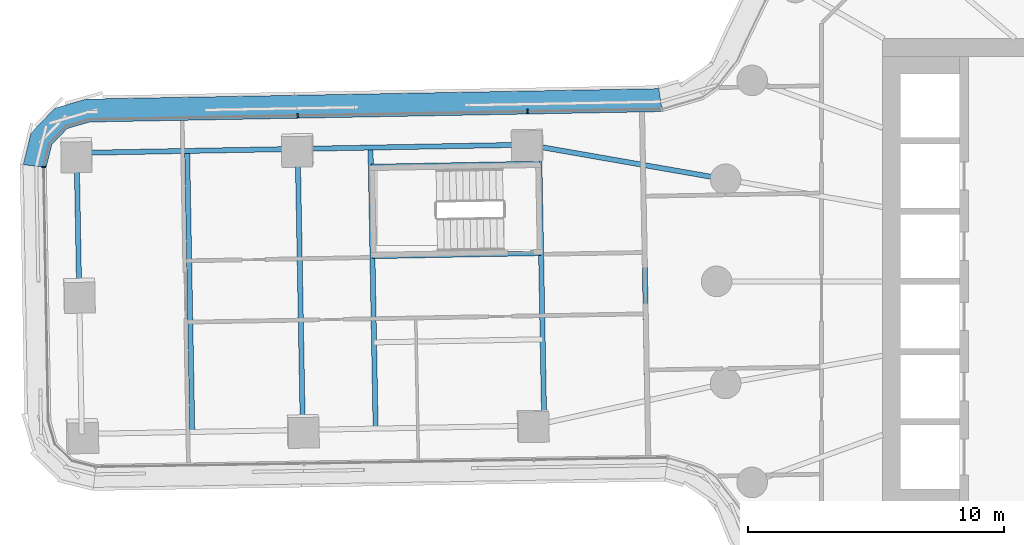
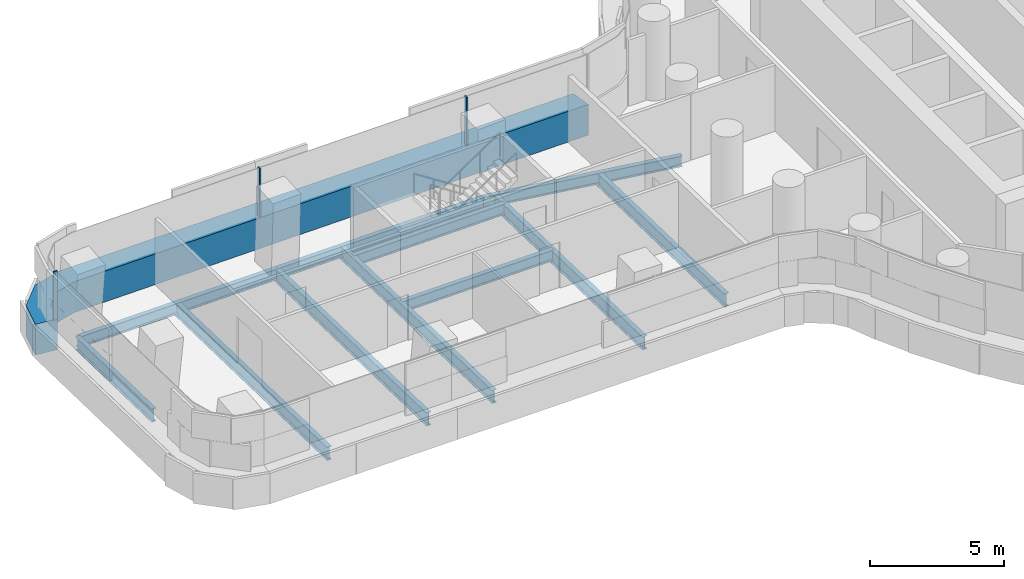
# One storey, part 6 of 31: 11 beams, 4 members, 2 elements without a shape of their own.
"""IFC4 building model written with IfcOpenShell, lengths in metres."""

from ifc_helpers import new_model, si_unit, direction, frame, origin, origin_2d, place, context, subcontext, project, spatial, polyline, rectangle, i_section, outline, extrude, material, layer, layer_set, material_profile, profile_set, type_object, element, aggregate, save


model = new_model("IFC4")

# Units and contexts
model_context = context("Model", 3, precision=1e-05, world=origin(), true_north=direction((0.0, 1.0)))
body_context = subcontext(model_context, "Body", "Model", "MODEL_VIEW")
ifc_project = project(units=[si_unit("LENGTHUNIT", "METRE"), si_unit("AREAUNIT", "SQUARE_METRE"), si_unit("VOLUMEUNIT", "CUBIC_METRE"), si_unit("PLANEANGLEUNIT", "RADIAN"), si_unit("MASSUNIT", "GRAM", prefix="KILO")], contexts=[model_context])

# Site, building, storey
site_placement = place(None, origin())
site = spatial("IfcSite", under=ifc_project, at=site_placement, CompositionType="ELEMENT")
building_placement = place(site_placement, origin())
building = spatial("IfcBuilding", under=site, at=building_placement, Name="Tamarind Cross Interchange Tower", CompositionType="ELEMENT")
storey_placement = place(building_placement, frame((0.0, 0.0, 37.75)))
storey = spatial("IfcBuildingStorey", under=building, at=storey_placement, Name="L07", CompositionType="ELEMENT", Elevation=37.75)

# Beams
ifc_material_1 = material(Name="Steel Q355B", Category="steel")
ifc_material_profile_1 = material_profile(ifc_material_1, i_section(OverallWidth=0.198974609375, OverallDepth=0.49609375, WebThickness=0.009033203125, FlangeThickness=0.013916015625, FilletRadius=0.012939453125, at=origin_2d()), Name="HN 496x199x9x14")
ifc_profile_set_1 = profile_set([ifc_material_profile_1], Name="Steel Q355B")
beam_type_1 = type_object("IfcBeamType", Name="Composite beam HN 496x199x9x14 Q355B", PredefinedType="BEAM", material=ifc_profile_set_1)
beam_1_placement = place(storey_placement, frame((-48.048828125, 5.02587890625, -0.387939453125), z_axis=(0.999833874071, 0.018227020054, 0.0), x_axis=(-0.018227020054, 0.999833874071, 0.0)))
element("IfcBeam", 1, at=beam_1_placement, inside=storey, type_object=beam_type_1, Name="Beam W-edgeem5", PredefinedType="BEAM", context=body_context, shape_type="SweptSolid", body=[
    extrude(i_section(OverallWidth=0.198974609375, OverallDepth=0.49609375, WebThickness=0.009033203125, FlangeThickness=0.013916015625, FilletRadius=0.012939453125, at=origin_2d()), origin(), (0.0, 0.0, 1.0), 8.65283203125),
])
beam_2_placement = place(storey_placement, frame((-39.3974609375, 5.18359375, -0.387939453125), z_axis=(0.999833836067, 0.018229104613, 0.0), x_axis=(-0.018229104613, 0.999833836067, 0.0)))
element("IfcBeam", 2, at=beam_2_placement, inside=storey, type_object=beam_type_1, Name="Beam W-edgeem6", PredefinedType="BEAM", context=body_context, shape_type="SweptSolid", body=[
    extrude(i_section(OverallWidth=0.198974609375, OverallDepth=0.49609375, WebThickness=0.009033203125, FlangeThickness=0.013916015625, FilletRadius=0.012939453125, at=origin_2d()), origin(), (0.0, 0.0, 1.0), 9.0),
])
beam_3_placement = place(storey_placement, frame((-30.39892578125, 5.34765625, -0.387939453125), z_axis=(0.98507773174, -0.172110030012, 0.0), x_axis=(0.172110030012, 0.98507773174, 0.0)))
element("IfcBeam", 3, at=beam_3_placement, inside=storey, type_object=beam_type_1, Name="Beam W-linkem", PredefinedType="BEAM", context=body_context, shape_type="SweptSolid", body=[
    extrude(i_section(OverallWidth=0.198974609375, OverallDepth=0.49609375, WebThickness=0.009033203125, FlangeThickness=0.013916015625, FilletRadius=0.012939453125, at=origin_2d()), origin(), (0.0, 0.0, 1.0), 7.86572265625),
])
for number, where, z_axis, x_axis, name in (
    (4, (-29.935302734375, 4.60595703125, -0.387939453125), (-0.999834372538, -0.018199656343, 0.0), (0.018199656343, -0.999834372538, 0.0), "Beam W-tr0"),
    (5, (-29.87158203125, 1.106689453125, -0.387939453125), (-0.99983369874, -0.018236635224, 0.0), (0.018236635224, -0.99983369874, 0.0), "Beam W-tr1"),
):
    element("IfcBeam", number, at=place(storey_placement, frame(where, z_axis=z_axis, x_axis=x_axis)), inside=storey, type_object=beam_type_1, Name=name, PredefinedType="BEAM", context=body_context, shape_type="SweptSolid", body=[
        extrude(i_section(OverallWidth=0.198974609375, OverallDepth=0.49609375, WebThickness=0.009033203125, FlangeThickness=0.013916015625, FilletRadius=0.012939453125, at=origin_2d()), origin(), (0.0, 0.0, 1.0), 6.599853515625),
    ])
ifc_material_profile_2 = material_profile(ifc_material_1, i_section(OverallWidth=0.199951171875, OverallDepth=0.60009765625, WebThickness=0.010986328125, FlangeThickness=0.01708984375, FilletRadius=0.012939453125, at=origin_2d()), Name="HN 600x200x11x17")
ifc_profile_set_2 = profile_set([ifc_material_profile_2], Name="Steel Q355B")
beam_type_2 = type_object("IfcBeamType", Name="Composite beam HN 600x200x11x17 Q355B", PredefinedType="BEAM", material=ifc_profile_set_2)
beam_4_placement = place(storey_placement, frame((-48.048828125, 5.02587890625, -0.43994140625), z_axis=(0.018244165944, -0.999833561354, 0.0), x_axis=(0.999833561354, 0.018244165944, 0.0)))
element("IfcBeam", 6, at=beam_4_placement, inside=storey, type_object=beam_type_2, Name="Beam W-tip0", PredefinedType="BEAM", context=body_context, shape_type="SweptSolid", body=[
    extrude(i_section(OverallWidth=0.199951171875, OverallDepth=0.60009765625, WebThickness=0.010986328125, FlangeThickness=0.01708984375, FilletRadius=0.012939453125, at=origin_2d()), origin(), (0.0, 0.0, 1.0), 5.5),
])
beam_5_placement = place(storey_placement, frame((-29.947509765625, 5.268798828125, -0.43994140625), z_axis=(0.018249746599, -0.999833459507, 0.0), x_axis=(0.999833459507, 0.018249746599, 0.0)))
element("IfcBeam", 7, at=beam_5_placement, inside=storey, type_object=beam_type_2, Name="Beam W-x298", PredefinedType="BEAM", context=body_context, shape_type="SweptSolid", body=[
    extrude(i_section(OverallWidth=0.199951171875, OverallDepth=0.60009765625, WebThickness=0.010986328125, FlangeThickness=0.01708984375, FilletRadius=0.012939453125, at=origin_2d()), origin(), (0.0, 0.0, 1.0), 10.822509765625),
])
for number, where, z_axis, x_axis, name in (
    (8, (-36.5478515625, 5.235595703125, -0.43994140625), (0.018221978469, -0.999833965967, 0.0), (0.999833965967, 0.018221978469, 0.0), "Beam W-x364"),
    (9, (-39.3974609375, 5.18359375, -0.43994140625), (0.018244165944, -0.999833561354, 0.0), (0.999833561354, 0.018244165944, 0.0), "Beam W-x393"),
):
    element("IfcBeam", number, at=place(storey_placement, frame(where, z_axis=z_axis, x_axis=x_axis)), inside=storey, type_object=beam_type_2, Name=name, PredefinedType="BEAM", context=body_context, shape_type="SweptSolid", body=[
        extrude(i_section(OverallWidth=0.199951171875, OverallDepth=0.60009765625, WebThickness=0.010986328125, FlangeThickness=0.01708984375, FilletRadius=0.012939453125, at=origin_2d()), origin(), (0.0, 0.0, 1.0), 10.999755859375),
    ])
beam_6_placement = place(storey_placement, frame((-25.8837890625, 4.558837890625, -0.43994140625), z_axis=(0.01823075376, -0.999833805998, 0.0), x_axis=(0.999833805998, 0.01823075376, 0.0)))
element("IfcBeam", 10, at=beam_6_placement, inside=storey, type_object=beam_type_2, Name="Beam W-x258", PredefinedType="BEAM", context=body_context, shape_type="SweptSolid", body=[
    extrude(i_section(OverallWidth=0.199951171875, OverallDepth=0.60009765625, WebThickness=0.010986328125, FlangeThickness=0.01708984375, FilletRadius=0.012939453125, at=origin_2d()), origin(), (0.0, 0.0, 1.0), 9.226806640625),
])
beam_7_placement = place(storey_placement, frame((-43.72314453125, 5.104736328125, -0.43994140625), z_axis=(0.018244165944, -0.999833561354, 0.0), x_axis=(0.999833561354, 0.018244165944, 0.0)))
element("IfcBeam", 11, at=beam_7_placement, inside=storey, type_object=beam_type_2, Name="Beam W-x436", PredefinedType="BEAM", context=body_context, shape_type="SweptSolid", body=[
    extrude(i_section(OverallWidth=0.199951171875, OverallDepth=0.60009765625, WebThickness=0.010986328125, FlangeThickness=0.01708984375, FilletRadius=0.012939453125, at=origin_2d()), origin(), (0.0, 0.0, 1.0), 10.999755859375),
])

# Curtain wall, members
ifc_material_2 = material(Name="Aluminium 6063-T6", Category="aluminium")
ifc_layer = layer(ifc_material_2, 0.159912109375)
ifc_layer_set = layer_set([ifc_layer], Name="Aluminium 6063-T6")
curtain_wall_type = type_object("IfcCurtainWallType", Name="Office curtain wall, 9.0 m bays", PredefinedType="NOTDEFINED", material=ifc_layer_set)
curtain_wall_1_placement = place(storey_placement, origin())
curtain_wall_1 = element("IfcCurtainWall", 12, at=curtain_wall_1_placement, inside=storey, type_object=curtain_wall_type, Name="CWS-L07-03", PredefinedType="NOTDEFINED")
ifc_material_3 = material(Name="Aluminium and insulated spandrel panel", Category="aluminium")
member_type_1 = type_object("IfcMemberType", Name="Floor-edge blade transom", PredefinedType="USERDEFINED", material=ifc_material_3)
member_1_placement = place(storey_placement, origin())
member_1 = element("IfcMember", 13, at=member_1_placement, type_object=member_type_1, Name="CWT-L07-03", ObjectType="TRANSOM", PredefinedType="USERDEFINED", context=body_context, shape_type="SweptSolid", body=[
    extrude(outline(polyline([(-25.127197265625, 6.64404296875), (-47.53125, 6.235595703125), (-48.4111328125, 5.982421875), (-49.01806640625, 5.35302734375), (-49.23876953125, 4.464599609375), (-50.140869140625, 4.566650390625), (-49.833251953125, 5.803955078125), (-48.8916015625, 6.78076171875), (-47.666259765625, 7.13330078125), (-25.264892578125, 7.541748046875), (-25.127197265625, 6.64404296875)])), origin(), (0.0, 0.0, 1.0), 1.39990234375),
])
ifc_material_profile_3 = material_profile(ifc_material_2, rectangle(XDim=0.06005859375, YDim=0.159912109375, at=origin_2d()), Name="Mullion CW1")
ifc_profile_set_3 = profile_set([ifc_material_profile_3], Name="Aluminium 6063-T6")
member_type_2 = type_object("IfcMemberType", Name="Mullion CW1", PredefinedType="MULLION", material=ifc_profile_set_3)
member_2_placement = place(storey_placement, frame((-30.395751953125, 6.64794921875, 1.39990234375), z_axis=(0.0, 0.0, 1.0), x_axis=(-0.999833743347, -0.018234189439, 0.0)))
member_2 = element("IfcMember", 14, at=member_2_placement, type_object=member_type_2, Name="CWM-L07-03-01", PredefinedType="MULLION", context=body_context, shape_type="SweptSolid", body=[
    extrude(rectangle(XDim=0.06005859375, YDim=0.159912109375, at=origin_2d()), origin(), (0.0, 0.0, 1.0), 2.210205078125),
])
member_3_placement = place(storey_placement, frame((-39.39453125, 6.48388671875, 1.39990234375), z_axis=(0.0, 0.0, 1.0), x_axis=(-0.999833743347, -0.018234189439, 0.0)))
member_3 = element("IfcMember", 15, at=member_3_placement, type_object=member_type_2, Name="CWM-L07-03-02", PredefinedType="MULLION", context=body_context, shape_type="SweptSolid", body=[
    extrude(rectangle(XDim=0.06005859375, YDim=0.159912109375, at=origin_2d()), origin(), (0.0, 0.0, 1.0), 2.210205078125),
])
aggregate(curtain_wall_1, [member_2, member_3, member_1])

# Curtain wall, member
curtain_wall_2_placement = place(storey_placement, origin())
curtain_wall_2 = element("IfcCurtainWall", 16, at=curtain_wall_2_placement, inside=storey, type_object=curtain_wall_type, Name="CWS-L07-04", PredefinedType="NOTDEFINED")
member_4_placement = place(storey_placement, frame((-49.339111328125, 4.475830078125, 1.39990234375), z_axis=(0.0, 0.0, 1.0), x_axis=(-0.112426297951, -0.993660066385, 0.0)))
member_4 = element("IfcMember", 17, at=member_4_placement, type_object=member_type_2, Name="CWM-L07-04-00", PredefinedType="MULLION", context=body_context, shape_type="SweptSolid", body=[
    extrude(rectangle(XDim=0.06005859375, YDim=0.159912109375, at=origin_2d()), origin(), (0.0, 0.0, 1.0), 2.210205078125),
])
aggregate(curtain_wall_2, [member_4])

save(model, "model.ifc")
